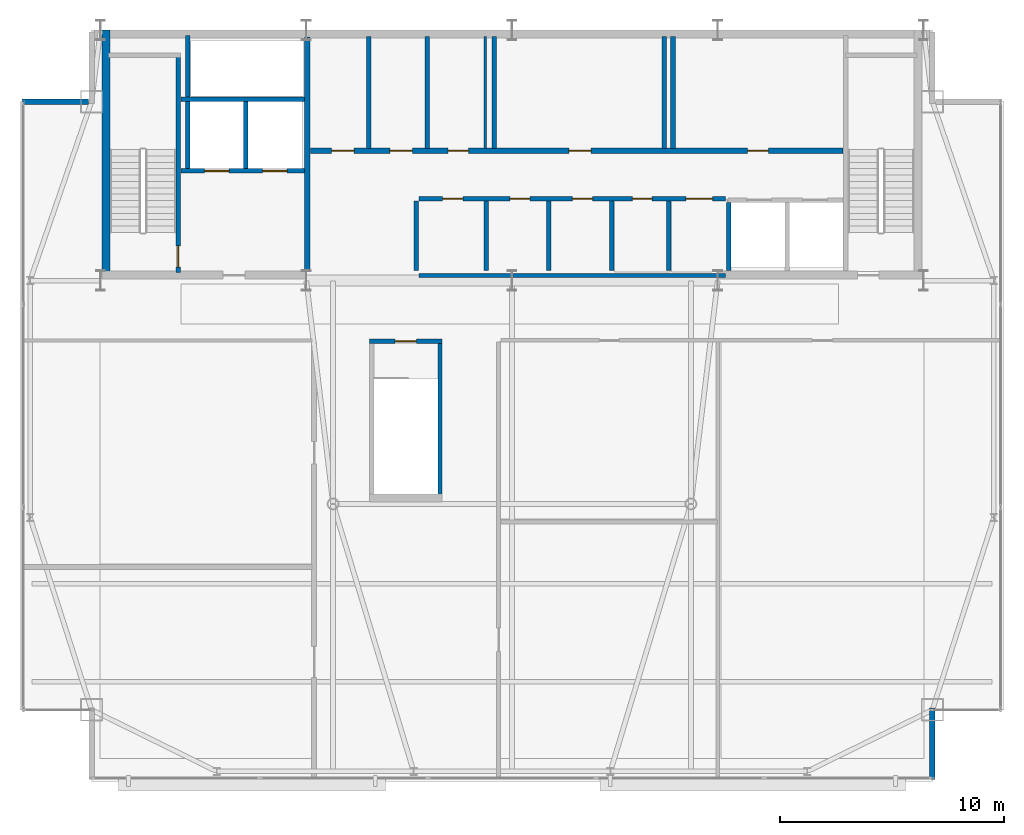
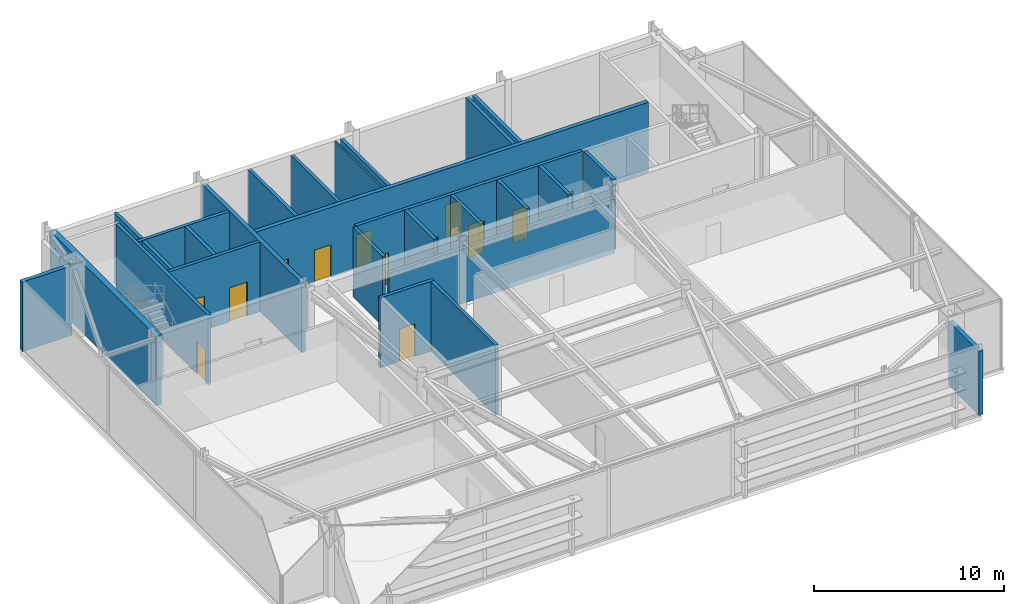
# One storey, part 18 of 20: 26 walls, 14 doors, 14 openings.
"""IFC4 building model written with IfcOpenShell, lengths in metres."""

from ifc_helpers import new_model, si_unit, direction, frame, frame_2d, origin, place, context, subcontext, project, spatial, rectangle, extrude, source, transform, mapped, material, layer, layer_set, type_object, type_shapes, element, fill, save


model = new_model("IFC4")

# Units and contexts
model_context = context("Model", 3, precision=1e-05, world=origin(), true_north=direction((0.0, 1.0)))
body_context = subcontext(model_context, "Body", "Model", "MODEL_VIEW")
ifc_project = project(units=[si_unit("LENGTHUNIT", "METRE"), si_unit("AREAUNIT", "SQUARE_METRE"), si_unit("VOLUMEUNIT", "CUBIC_METRE"), si_unit("PLANEANGLEUNIT", "RADIAN"), si_unit("MASSUNIT", "GRAM", prefix="KILO")], contexts=[model_context])

# Site, building, storey
site_placement = place(None, origin())
site = spatial("IfcSite", under=ifc_project, at=site_placement, CompositionType="ELEMENT")
building_placement = place(site_placement, origin())
building = spatial("IfcBuilding", under=site, at=building_placement, Name="Varnel Quay Broadcast Tower", CompositionType="ELEMENT")
storey_placement = place(building_placement, frame((0.0, 0.0, 309.800048828125)))
storey = spatial("IfcBuildingStorey", under=building, at=storey_placement, Name="L77", CompositionType="ELEMENT", Elevation=309.800048828125)

# Wall, opening, door
ifc_material_1 = material(Name="Concrete CSA A23.3 C50/60", Category="concrete")
ifc_layer_1 = layer(ifc_material_1, 0.199951171875, Name="Concrete CSA A23.3 C50/60")
ifc_layer_set_1 = layer_set([ifc_layer_1], Name="Concrete CSA A23.3 C50/60")
wall_type_1 = type_object("IfcWallType", Name="Wall_CoreShaftShear200", PredefinedType="SHEAR", material=ifc_layer_set_1)
wall_1_placement = place(storey_placement, frame((19.080078125, 35.949951171875, 0.0), z_axis=(0.0, 0.0, 1.0), x_axis=(0.0, 1.0, 0.0)))
wall_1 = element("IfcWall", 1, at=wall_1_placement, inside=storey, type_object=wall_type_1, Name="L77 Stair 1 East Structural Wall", PredefinedType="SHEAR", context=body_context, shape_type="SweptSolid", body=[
    extrude(rectangle(XDim=9.650146484375, YDim=0.199951171875, at=frame_2d((4.8251953125, 0.0))), origin(), (0.0, 0.0, 1.0), 4.47998046875),
])
opening_1_placement = place(wall_1_placement, frame((0.25, 0.0, 0.0)))
opening_1 = element("IfcOpeningElement", 2, at=opening_1_placement, cuts=wall_1, Name="Opening D-L77-S1", PredefinedType="OPENING", context=body_context, shape_type="SweptSolid", body=[
    extrude(rectangle(XDim=0.949951171875, YDim=2.10009765625, at=frame_2d((0.47509765625, 1.050048828125))), frame((0.0, 0.10986328125, 0.0), z_axis=(0.0, -1.0, 0.0), x_axis=(1.0, 0.0, 0.0)), (0.0, 0.0, 1.0), 0.219970703125),
])
ifc_material_2 = material(Name="Insulated Fire-Rated Hollow Steel Door", Category="steel")
door_type_1 = type_object("IfcDoorType", Name="Door_FireStair950", OperationType="NOTDEFINED", PredefinedType="DOOR", material=ifc_material_2)
shared_shape_1 = source(origin(), body_context, "Body", "SweptSolid", [
    extrude(rectangle(XDim=0.949951171875, YDim=2.10009765625, at=frame_2d((0.47509765625, 1.050048828125))), frame((0.0, 0.02490234375, 0.0), z_axis=(0.0, -1.0, 0.0), x_axis=(1.0, 0.0, 0.0)), (0.0, 0.0, 1.0), 0.050048828125),
])
type_shapes(door_type_1, [shared_shape_1])
door_1_placement = place(opening_1_placement, origin())
door_1 = element("IfcDoor", 3, at=door_1_placement, inside=storey, type_object=door_type_1, Name="L77 Stair 1 Fire Door", OperationType="SINGLE_SWING_RIGHT", OverallHeight=2.10009765625, OverallWidth=0.949951171875, PredefinedType="DOOR", context=body_context, shape_type="MappedRepresentation", body=[
    mapped(shared_shape_1, transform((0.0, 0.0, 0.0), x_axis=(1.0, 0.0, 0.0), y_axis=(0.0, 1.0, 0.0), z_axis=(0.0, 0.0, 1.0), scale=1.0)),
])
fill(opening_1, door_1)

# Wall, openings, doors
wall_2_placement = place(storey_placement, frame((19.199951171875, 40.5, 0.0), z_axis=(0.0, 0.0, 1.0), x_axis=(1.0, 0.0, 0.0)))
wall_2 = element("IfcWall", 4, at=wall_2_placement, inside=storey, type_object=wall_type_1, Name="L77 Firefighter Lift Shaft Front Wall", PredefinedType="SHEAR", context=body_context, shape_type="SweptSolid", body=[
    extrude(rectangle(XDim=5.52001953125, YDim=0.199951171875, at=frame_2d((2.760009765625, 0.0))), origin(), (0.0, 0.0, 1.0), 4.47998046875),
])
opening_2_placement = place(wall_2_placement, frame((1.050048828125, 0.0, 0.0)))
opening_2 = element("IfcOpeningElement", 5, at=opening_2_placement, cuts=wall_2, Name="Opening LD-L77-FE1", PredefinedType="OPENING", context=body_context, shape_type="SweptSolid", body=[
    extrude(rectangle(XDim=1.10009765625, YDim=2.179931640625, at=frame_2d((0.550048828125, 1.08984375))), frame((0.0, 0.10986328125, 0.0), z_axis=(0.0, -1.0, 0.0), x_axis=(1.0, 0.0, 0.0)), (0.0, 0.0, 1.0), 0.219970703125),
])
opening_3_placement = place(wall_2_placement, frame((3.64990234375, 0.0, 0.0)))
opening_3 = element("IfcOpeningElement", 6, at=opening_3_placement, cuts=wall_2, Name="Opening LD-L77-FE2", PredefinedType="OPENING", context=body_context, shape_type="SweptSolid", body=[
    extrude(rectangle(XDim=1.10009765625, YDim=2.179931640625, at=frame_2d((0.550048828125, 1.08984375))), frame((0.0, 0.10986328125, 0.0), z_axis=(0.0, -1.0, 0.0), x_axis=(1.0, 0.0, 0.0)), (0.0, 0.0, 1.0), 0.219970703125),
])
ifc_material_3 = material(Name="Brushed Bronze-Stainless Lift Car & Sliding Doors", Category="steel")
door_type_2 = type_object("IfcDoorType", Name="Door_LiftLanding1100", OperationType="SLIDING_TO_LEFT", PredefinedType="DOOR", material=ifc_material_3)
shared_shape_2 = source(origin(), body_context, "Body", "SweptSolid", [
    extrude(rectangle(XDim=1.10009765625, YDim=2.179931640625, at=frame_2d((0.550048828125, 1.08984375))), frame((0.0, 0.02490234375, 0.0), z_axis=(0.0, -1.0, 0.0), x_axis=(1.0, 0.0, 0.0)), (0.0, 0.0, 1.0), 0.050048828125),
])
type_shapes(door_type_2, [shared_shape_2])
door_2_placement = place(opening_2_placement, frame((1.10009765625, 0.0, 0.0), z_axis=(0.0, 0.0, 1.0), x_axis=(-1.0, 0.0, 0.0)))
door_2 = element("IfcDoor", 7, at=door_2_placement, inside=storey, type_object=door_type_2, Name="L77 Firefighter Lift FE-01 Landing Door", OperationType="SLIDING_TO_LEFT", OverallHeight=2.179931640625, OverallWidth=1.10009765625, PredefinedType="DOOR", context=body_context, shape_type="MappedRepresentation", body=[
    mapped(shared_shape_2, transform((0.0, 0.0, 0.0), x_axis=(1.0, 0.0, 0.0), y_axis=(0.0, 1.0, 0.0), z_axis=(0.0, 0.0, 1.0), scale=1.0)),
])
fill(opening_2, door_2)
door_3_placement = place(opening_3_placement, frame((1.10009765625, 0.0, 0.0), z_axis=(0.0, 0.0, 1.0), x_axis=(-1.0, 0.0, 0.0)))
door_3 = element("IfcDoor", 8, at=door_3_placement, inside=storey, type_object=door_type_2, Name="L77 Firefighter Lift FE-02 Landing Door", OperationType="SLIDING_TO_RIGHT", OverallHeight=2.179931640625, OverallWidth=1.10009765625, PredefinedType="DOOR", context=body_context, shape_type="MappedRepresentation", body=[
    mapped(shared_shape_2, transform((0.0, 0.0, 0.0), x_axis=(1.0, 0.0, 0.0), y_axis=(0.0, 1.0, 0.0), z_axis=(0.0, 0.0, 1.0), scale=1.0)),
])
fill(opening_3, door_3)

# Walls
wall_3_placement = place(storey_placement, frame((19.199951171875, 43.699951171875, 0.0), z_axis=(0.0, 0.0, 1.0), x_axis=(1.0, 0.0, 0.0)))
element("IfcWall", 9, at=wall_3_placement, inside=storey, type_object=wall_type_1, Name="L77 Firefighter Lift Shaft Rear Wall", PredefinedType="SHEAR", context=body_context, shape_type="SweptSolid", body=[
    extrude(rectangle(XDim=5.52001953125, YDim=0.199951171875, at=frame_2d((2.760009765625, 0.0))), origin(), (0.0, 0.0, 1.0), 4.47998046875),
])
wall_4_placement = place(storey_placement, frame((22.10009765625, 40.60009765625, 0.0), z_axis=(0.0, 0.0, 1.0), x_axis=(0.0, 1.0, 0.0)))
element("IfcWall", 10, at=wall_4_placement, inside=storey, type_object=wall_type_1, Name="L77 Firefighter Lift Shaft Divider", PredefinedType="SHEAR", context=body_context, shape_type="SweptSolid", body=[
    extrude(rectangle(XDim=3.0, YDim=0.199951171875, at=frame_2d((1.5, 0.0))), origin(), (0.0, 0.0, 1.0), 4.47998046875),
])
wall_5_placement = place(storey_placement, frame((19.5, 40.60009765625, 0.0), z_axis=(0.0, 0.0, 1.0), x_axis=(0.0, 1.0, 0.0)))
element("IfcWall", 11, at=wall_5_placement, inside=storey, type_object=wall_type_1, Name="L77 Firefighter Lift Shaft West Wall", PredefinedType="SHEAR", context=body_context, shape_type="SweptSolid", body=[
    extrude(rectangle(XDim=5.949951171875, YDim=0.199951171875, at=frame_2d((2.97509765625, 0.0))), origin(), (0.0, 0.0, 1.0), 4.47998046875),
])
wall_6_placement = place(storey_placement, frame((43.699951171875, 36.050048828125, 0.0), z_axis=(0.0, 0.0, 1.0), x_axis=(0.0, 1.0, 0.0)))
element("IfcWall", 12, at=wall_6_placement, inside=storey, type_object=wall_type_1, Name="L77 Express Lift Shaft West Wall", PredefinedType="SHEAR", context=body_context, shape_type="SweptSolid", body=[
    extrude(rectangle(XDim=3.050048828125, YDim=0.199951171875, at=frame_2d((1.52490234375, 0.0))), origin(), (0.0, 0.0, 1.0), 4.47998046875),
])
wall_7_placement = place(storey_placement, frame((30.780029296875, 26.0, 0.0), z_axis=(0.0, 0.0, 1.0), x_axis=(0.0, 1.0, 0.0)))
element("IfcWall", 13, at=wall_7_placement, inside=storey, type_object=wall_type_1, Name="L77 Observation Stair 4 E Structural Wall", PredefinedType="SHEAR", context=body_context, shape_type="SweptSolid", body=[
    extrude(rectangle(XDim=6.800048828125, YDim=0.199951171875, at=frame_2d((3.39990234375, 0.0))), origin(), (0.0, 0.0, 1.0), 4.47998046875),
])

# Wall, opening, door
wall_8_placement = place(storey_placement, frame((27.6201171875, 32.8798828125, 0.0), z_axis=(0.0, 0.0, 1.0), x_axis=(1.0, 0.0, 0.0)))
wall_8 = element("IfcWall", 14, at=wall_8_placement, inside=storey, type_object=wall_type_1, Name="L77 Observation Stair 4 North Structural Wall", PredefinedType="SHEAR", context=body_context, shape_type="SweptSolid", body=[
    extrude(rectangle(XDim=3.259765625, YDim=0.199951171875, at=frame_2d((1.6298828125, 0.0))), origin(), (0.0, 0.0, 1.0), 4.47998046875),
])
opening_4_placement = place(wall_8_placement, frame((1.14990234375, 0.0, 0.0)))
opening_4 = element("IfcOpeningElement", 15, at=opening_4_placement, cuts=wall_8, Name="Opening D-L77-S4", PredefinedType="OPENING", context=body_context, shape_type="SweptSolid", body=[
    extrude(rectangle(XDim=0.949951171875, YDim=2.10009765625, at=frame_2d((0.47509765625, 1.050048828125))), frame((0.0, 0.10986328125, 0.0), z_axis=(0.0, -1.0, 0.0), x_axis=(1.0, 0.0, 0.0)), (0.0, 0.0, 1.0), 0.219970703125),
])
door_4_placement = place(opening_4_placement, frame((0.949951171875, 0.0, 0.0), z_axis=(0.0, 0.0, 1.0), x_axis=(-1.0, 0.0, 0.0)))
door_4 = element("IfcDoor", 16, at=door_4_placement, inside=storey, type_object=door_type_1, Name="L77 Observation Stair 4 Door", OperationType="SINGLE_SWING_RIGHT", OverallHeight=2.10009765625, OverallWidth=0.949951171875, PredefinedType="DOOR", context=body_context, shape_type="MappedRepresentation", body=[
    mapped(shared_shape_1, transform((0.0, 0.0, 0.0), x_axis=(1.0, 0.0, 0.0), y_axis=(0.0, 1.0, 0.0), z_axis=(0.0, 0.0, 1.0), scale=1.0)),
])
fill(opening_4, door_4)

# Wall
ifc_layer_2 = layer(ifc_material_1, 0.25, Name="Concrete CSA A23.3 C50/60")
ifc_layer_set_2 = layer_set([ifc_layer_2], Name="Concrete CSA A23.3 C50/60")
wall_type_2 = type_object("IfcWallType", Name="Wall_CoreShaftShear250", PredefinedType="SHEAR", material=ifc_layer_set_2)
wall_9_placement = place(storey_placement, frame((24.85009765625, 36.050048828125, 0.0), z_axis=(0.0, 0.0, 1.0), x_axis=(0.0, 1.0, 0.0)))
element("IfcWall", 17, at=wall_9_placement, inside=storey, type_object=wall_type_2, Name="L77 Firefighting Lobby East Structural Wall", PredefinedType="SHEAR", context=body_context, shape_type="SweptSolid", body=[
    extrude(rectangle(XDim=10.449951171875, YDim=0.25, at=frame_2d((5.22509765625, 0.0))), origin(), (0.0, 0.0, 1.0), 4.47998046875),
])

# Wall, openings, doors
wall_10_placement = place(storey_placement, frame((24.97998046875, 41.39990234375, 0.0), z_axis=(0.0, 0.0, 1.0), x_axis=(1.0, 0.0, 0.0)))
wall_10 = element("IfcWall", 18, at=wall_10_placement, inside=storey, type_object=wall_type_2, Name="L77 North Lift Bank & Reclaimed Suite Wall", PredefinedType="SHEAR", context=body_context, shape_type="SweptSolid", body=[
    extrude(rectangle(XDim=23.820068359375, YDim=0.25, at=frame_2d((11.91015625, 0.0))), origin(), (0.0, 0.0, 1.0), 4.47998046875),
])
opening_5_placement = place(wall_10_placement, frame((0.9599609375, 0.0, 0.0)))
opening_5 = element("IfcOpeningElement", 19, at=opening_5_placement, cuts=wall_10, Name="Opening D-L77-RECA1", PredefinedType="OPENING", context=body_context, shape_type="SweptSolid", body=[
    extrude(rectangle(XDim=1.0, YDim=2.080078125, at=frame_2d((0.5, 1.0400390625))), frame((0.0, 0.135009765625, 0.0), z_axis=(0.0, -1.0, 0.0), x_axis=(1.0, 0.0, 0.0)), (0.0, 0.0, 1.0), 0.27001953125),
])
opening_6_placement = place(wall_10_placement, frame((3.56005859375, 0.0, 0.0)))
opening_6 = element("IfcOpeningElement", 20, at=opening_6_placement, cuts=wall_10, Name="Opening D-L77-RECA2", PredefinedType="OPENING", context=body_context, shape_type="SweptSolid", body=[
    extrude(rectangle(XDim=1.0, YDim=2.080078125, at=frame_2d((0.5, 1.0400390625))), frame((0.0, 0.135009765625, 0.0), z_axis=(0.0, -1.0, 0.0), x_axis=(1.0, 0.0, 0.0)), (0.0, 0.0, 1.0), 0.27001953125),
])
opening_7_placement = place(wall_10_placement, frame((6.159912109375, 0.0, 0.0)))
opening_7 = element("IfcOpeningElement", 21, at=opening_7_placement, cuts=wall_10, Name="Opening D-L77-RECA3", PredefinedType="OPENING", context=body_context, shape_type="SweptSolid", body=[
    extrude(rectangle(XDim=0.919921875, YDim=2.080078125, at=frame_2d((0.4599609375, 1.0400390625))), frame((0.0, 0.135009765625, 0.0), z_axis=(0.0, -1.0, 0.0), x_axis=(1.0, 0.0, 0.0)), (0.0, 0.0, 1.0), 0.27001953125),
])
opening_8_placement = place(wall_10_placement, frame((11.56005859375, 0.0, 0.0)))
opening_8 = element("IfcOpeningElement", 22, at=opening_8_placement, cuts=wall_10, Name="Opening D-L77-RECB1", PredefinedType="OPENING", context=body_context, shape_type="SweptSolid", body=[
    extrude(rectangle(XDim=1.0, YDim=2.080078125, at=frame_2d((0.5, 1.0400390625))), frame((0.0, 0.135009765625, 0.0), z_axis=(0.0, -1.0, 0.0), x_axis=(1.0, 0.0, 0.0)), (0.0, 0.0, 1.0), 0.27001953125),
])
opening_9_placement = place(wall_10_placement, frame((19.56005859375, 0.0, 0.0)))
opening_9 = element("IfcOpeningElement", 23, at=opening_9_placement, cuts=wall_10, Name="Opening D-L77-RECC1", PredefinedType="OPENING", context=body_context, shape_type="SweptSolid", body=[
    extrude(rectangle(XDim=0.919921875, YDim=2.080078125, at=frame_2d((0.4599609375, 1.0400390625))), frame((0.0, 0.135009765625, 0.0), z_axis=(0.0, -1.0, 0.0), x_axis=(1.0, 0.0, 0.0)), (0.0, 0.0, 1.0), 0.27001953125),
])
door_type_3 = type_object("IfcDoorType", Name="Door_FireLobby1000", OperationType="NOTDEFINED", PredefinedType="DOOR", material=ifc_material_2)
shared_shape_3 = source(origin(), body_context, "Body", "SweptSolid", [
    extrude(rectangle(XDim=1.0, YDim=2.080078125, at=frame_2d((0.5, 1.0400390625))), frame((0.0, 0.02490234375, 0.0), z_axis=(0.0, -1.0, 0.0), x_axis=(1.0, 0.0, 0.0)), (0.0, 0.0, 1.0), 0.050048828125),
])
type_shapes(door_type_3, [shared_shape_3])
door_5_placement = place(opening_5_placement, origin())
door_5 = element("IfcDoor", 24, at=door_5_placement, inside=storey, type_object=door_type_3, Name="L77 Ingest Rack Bay A Door", OperationType="SINGLE_SWING_LEFT", OverallHeight=2.080078125, OverallWidth=1.0, PredefinedType="DOOR", context=body_context, shape_type="MappedRepresentation", body=[
    mapped(shared_shape_3, transform((0.0, 0.0, 0.0), x_axis=(1.0, 0.0, 0.0), y_axis=(0.0, 1.0, 0.0), z_axis=(0.0, 0.0, 1.0), scale=1.0)),
])
fill(opening_5, door_5)
door_6_placement = place(opening_6_placement, origin())
door_6 = element("IfcDoor", 25, at=door_6_placement, inside=storey, type_object=door_type_3, Name="L77 Fiber Patch Bay Door", OperationType="SINGLE_SWING_RIGHT", OverallHeight=2.080078125, OverallWidth=1.0, PredefinedType="DOOR", context=body_context, shape_type="MappedRepresentation", body=[
    mapped(shared_shape_3, transform((0.0, 0.0, 0.0), x_axis=(1.0, 0.0, 0.0), y_axis=(0.0, 1.0, 0.0), z_axis=(0.0, 0.0, 1.0), scale=1.0)),
])
fill(opening_6, door_6)
door_7_placement = place(opening_8_placement, origin())
door_7 = element("IfcDoor", 26, at=door_7_placement, inside=storey, type_object=door_type_3, Name="L77 High-Zone Broadcast Rack Hall Door", OperationType="SINGLE_SWING_RIGHT", OverallHeight=2.080078125, OverallWidth=1.0, PredefinedType="DOOR", context=body_context, shape_type="MappedRepresentation", body=[
    mapped(shared_shape_3, transform((0.0, 0.0, 0.0), x_axis=(1.0, 0.0, 0.0), y_axis=(0.0, 1.0, 0.0), z_axis=(0.0, 0.0, 1.0), scale=1.0)),
])
fill(opening_8, door_7)
ifc_material_4 = material(Name="Solid-Core Fire-Rated Acoustic Oak Veneer Door", Category="wood")
door_type_4 = type_object("IfcDoorType", Name="Door_Office920", OperationType="NOTDEFINED", PredefinedType="DOOR", material=ifc_material_4)
shared_shape_4 = source(origin(), body_context, "Body", "SweptSolid", [
    extrude(rectangle(XDim=0.919921875, YDim=2.080078125, at=frame_2d((0.4599609375, 1.0400390625))), frame((0.0, 0.02490234375, 0.0), z_axis=(0.0, -1.0, 0.0), x_axis=(1.0, 0.0, 0.0)), (0.0, 0.0, 1.0), 0.050048828125),
])
type_shapes(door_type_4, [shared_shape_4])
door_8_placement = place(opening_7_placement, origin())
door_8 = element("IfcDoor", 27, at=door_8_placement, inside=storey, type_object=door_type_4, Name="L77 Telemetry Store Door", OperationType="SINGLE_SWING_LEFT", OverallHeight=2.080078125, OverallWidth=0.919921875, PredefinedType="DOOR", context=body_context, shape_type="MappedRepresentation", body=[
    mapped(shared_shape_4, transform((0.0, 0.0, 0.0), x_axis=(1.0, 0.0, 0.0), y_axis=(0.0, 1.0, 0.0), z_axis=(0.0, 0.0, 1.0), scale=1.0)),
])
fill(opening_7, door_8)
door_9_placement = place(opening_9_placement, origin())
door_9 = element("IfcDoor", 28, at=door_9_placement, inside=storey, type_object=door_type_4, Name="L77 Observatory AV Control Suite Door", OperationType="SINGLE_SWING_LEFT", OverallHeight=2.080078125, OverallWidth=0.919921875, PredefinedType="DOOR", context=body_context, shape_type="MappedRepresentation", body=[
    mapped(shared_shape_4, transform((0.0, 0.0, 0.0), x_axis=(1.0, 0.0, 0.0), y_axis=(0.0, 1.0, 0.0), z_axis=(0.0, 0.0, 1.0), scale=1.0)),
])
fill(opening_9, door_9)

# Walls
ifc_layer_3 = layer(ifc_material_1, 0.35009765625, Name="Concrete CSA A23.3 C50/60")
ifc_layer_set_3 = layer_set([ifc_layer_3], Name="Concrete CSA A23.3 C50/60")
wall_type_3 = type_object("IfcWallType", Name="Wall_CoreShearInt350", PredefinedType="SHEAR", material=ifc_layer_set_3)
wall_11_placement = place(storey_placement, frame((15.844970703125, 35.669921875, 0.0), z_axis=(0.0, 0.0, 1.0), x_axis=(0.0, 1.0, 0.0)))
element("IfcWall", 29, at=wall_11_placement, inside=storey, type_object=wall_type_3, Name="L77 West Core Shear Wall", PredefinedType="SHEAR", context=body_context, shape_type="SweptSolid", body=[
    extrude(rectangle(XDim=11.130126953125, YDim=0.35009765625, at=frame_2d((5.56494140625, 0.0))), origin(), (0.0, 0.0, 1.0), 4.47998046875),
])
ifc_material_5 = material(Name="Precast Architectural Concrete C40/50", Category="concrete")
ifc_layer_4 = layer(ifc_material_5, 0.25, Name="Precast Architectural Concrete C40/50")
ifc_layer_set_4 = layer_set([ifc_layer_4], Name="Precast Architectural Concrete C40/50")
wall_type_4 = type_object("IfcWallType", Name="Wall_ExtTerrace250", PredefinedType="SOLIDWALL", material=ifc_layer_set_4)
wall_12_placement = place(storey_placement, frame((52.800048828125, 13.280029296875, 0.0), z_axis=(0.0, 0.0, 1.0), x_axis=(0.0, 1.0, 0.0)))
element("IfcWall", 30, at=wall_12_placement, inside=storey, type_object=wall_type_4, Name="L77 Mega-Column Notch Cladding Wall NSE2", PredefinedType="SOLIDWALL", context=body_context, shape_type="SweptSolid", body=[
    extrude(rectangle(XDim=3.199951171875, YDim=0.25, at=frame_2d((1.60009765625, 0.0))), origin(), (0.0, 0.0, 1.0), 4.100830078125),
])
wall_13_placement = place(storey_placement, frame((12.080078125, 43.60009765625, 0.0), z_axis=(0.0, 0.0, 1.0), x_axis=(1.0, 0.0, 0.0)))
element("IfcWall", 31, at=wall_13_placement, inside=storey, type_object=wall_type_4, Name="L77 Mega-Column Notch Cladding Wall NNW1", PredefinedType="SOLIDWALL", context=body_context, shape_type="SweptSolid", body=[
    extrude(rectangle(XDim=2.989990234375, YDim=0.25, at=frame_2d((1.4951171875, 0.0))), origin(), (0.0, 0.0, 1.0), 4.4599609375),
])
ifc_material_6 = material(Name="Concrete Blockwork Fire Enclosure C40/50", Category="masonry")
ifc_layer_5 = layer(ifc_material_6, 0.199951171875, Name="Concrete Blockwork Fire Enclosure C40/50")
ifc_layer_set_5 = layer_set([ifc_layer_5], Name="Concrete Blockwork Fire Enclosure C40/50")
wall_type_5 = type_object("IfcWallType", Name="Wall_FireShaft200", PredefinedType="SOLIDWALL", material=ifc_layer_set_5)
wall_14_placement = place(storey_placement, frame((29.85009765625, 35.824951171875, 0.0), z_axis=(0.0, 0.0, 1.0), x_axis=(1.0, 0.0, 0.0)))
element("IfcWall", 32, at=wall_14_placement, inside=storey, type_object=wall_type_5, Name="L77 Accessible Washroom Partition 1", PredefinedType="SOLIDWALL", context=body_context, shape_type="SweptSolid", body=[
    extrude(rectangle(XDim=13.699951171875, YDim=0.199951171875, at=frame_2d((6.85009765625, 0.0))), origin(), (0.0, 0.0, 1.0), 3.5048828125),
])

# Wall, openings, doors
wall_15_placement = place(storey_placement, frame((29.85009765625, 39.25, 0.0), z_axis=(0.0, 0.0, 1.0), x_axis=(1.0, 0.0, 0.0)))
wall_15 = element("IfcWall", 33, at=wall_15_placement, inside=storey, type_object=wall_type_5, Name="L77 Accessible Washroom Partition 3", PredefinedType="SOLIDWALL", context=body_context, shape_type="SweptSolid", body=[
    extrude(rectangle(XDim=13.699951171875, YDim=0.199951171875, at=frame_2d((6.85009765625, 0.0))), origin(), (0.0, 0.0, 1.0), 4.4599609375),
])
opening_10_placement = place(wall_15_placement, frame((1.050048828125, 0.0, 0.0)))
opening_10 = element("IfcOpeningElement", 34, at=opening_10_placement, cuts=wall_15, Name="Opening D-L77-01", PredefinedType="OPENING", context=body_context, shape_type="SweptSolid", body=[
    extrude(rectangle(XDim=0.89990234375, YDim=2.06005859375, at=frame_2d((0.449951171875, 1.030029296875))), frame((0.0, 0.10986328125, 0.0), z_axis=(0.0, -1.0, 0.0), x_axis=(1.0, 0.0, 0.0)), (0.0, 0.0, 1.0), 0.219970703125),
])
opening_11_placement = place(wall_15_placement, frame((4.050048828125, 0.0, 0.0)))
opening_11 = element("IfcOpeningElement", 35, at=opening_11_placement, cuts=wall_15, Name="Opening D-L77-02", PredefinedType="OPENING", context=body_context, shape_type="SweptSolid", body=[
    extrude(rectangle(XDim=0.89990234375, YDim=2.06005859375, at=frame_2d((0.449951171875, 1.030029296875))), frame((0.0, 0.10986328125, 0.0), z_axis=(0.0, -1.0, 0.0), x_axis=(1.0, 0.0, 0.0)), (0.0, 0.0, 1.0), 0.219970703125),
])
opening_12_placement = place(wall_15_placement, frame((6.85009765625, 0.0, 0.0)))
opening_12 = element("IfcOpeningElement", 36, at=opening_12_placement, cuts=wall_15, Name="Opening D-L77-03", PredefinedType="OPENING", context=body_context, shape_type="SweptSolid", body=[
    extrude(rectangle(XDim=0.89990234375, YDim=2.06005859375, at=frame_2d((0.449951171875, 1.030029296875))), frame((0.0, 0.10986328125, 0.0), z_axis=(0.0, -1.0, 0.0), x_axis=(1.0, 0.0, 0.0)), (0.0, 0.0, 1.0), 0.219970703125),
])
opening_13_placement = place(wall_15_placement, frame((9.534912109375, 0.0, 0.0)))
opening_13 = element("IfcOpeningElement", 37, at=opening_13_placement, cuts=wall_15, Name="Opening D-L77-04", PredefinedType="OPENING", context=body_context, shape_type="SweptSolid", body=[
    extrude(rectangle(XDim=0.8798828125, YDim=2.06005859375, at=frame_2d((0.43994140625, 1.030029296875))), frame((0.0, 0.10986328125, 0.0), z_axis=(0.0, -1.0, 0.0), x_axis=(1.0, 0.0, 0.0)), (0.0, 0.0, 1.0), 0.219970703125),
])
opening_14_placement = place(wall_15_placement, frame((11.925048828125, 0.0, 0.0)))
opening_14 = element("IfcOpeningElement", 38, at=opening_14_placement, cuts=wall_15, Name="Opening D-L77-05", PredefinedType="OPENING", context=body_context, shape_type="SweptSolid", body=[
    extrude(rectangle(XDim=1.199951171875, YDim=2.10009765625, at=frame_2d((0.60009765625, 1.050048828125))), frame((0.0, 0.10986328125, 0.0), z_axis=(0.0, -1.0, 0.0), x_axis=(1.0, 0.0, 0.0)), (0.0, 0.0, 1.0), 0.219970703125),
])
door_type_5 = type_object("IfcDoorType", Name="Door_Washroom900", OperationType="NOTDEFINED", PredefinedType="DOOR", material=ifc_material_4)
shared_shape_5 = source(origin(), body_context, "Body", "SweptSolid", [
    extrude(rectangle(XDim=0.89990234375, YDim=2.06005859375, at=frame_2d((0.449951171875, 1.030029296875))), frame((0.0, 0.02490234375, 0.0), z_axis=(0.0, -1.0, 0.0), x_axis=(1.0, 0.0, 0.0)), (0.0, 0.0, 1.0), 0.050048828125),
])
type_shapes(door_type_5, [shared_shape_5])
door_10_placement = place(opening_10_placement, frame((0.89990234375, 0.0, 0.0), z_axis=(0.0, 0.0, 1.0), x_axis=(-1.0, 0.0, 0.0)))
door_10 = element("IfcDoor", 39, at=door_10_placement, inside=storey, type_object=door_type_5, Name="L77 Accessible Washroom Door D-L77-01", OperationType="SINGLE_SWING_LEFT", OverallHeight=2.06005859375, OverallWidth=0.89990234375, PredefinedType="DOOR", context=body_context, shape_type="MappedRepresentation", body=[
    mapped(shared_shape_5, transform((0.0, 0.0, 0.0), x_axis=(1.0, 0.0, 0.0), y_axis=(0.0, 1.0, 0.0), z_axis=(0.0, 0.0, 1.0), scale=1.0)),
])
fill(opening_10, door_10)
door_11_placement = place(opening_11_placement, frame((0.89990234375, 0.0, 0.0), z_axis=(0.0, 0.0, 1.0), x_axis=(-1.0, 0.0, 0.0)))
door_11 = element("IfcDoor", 40, at=door_11_placement, inside=storey, type_object=door_type_5, Name="L77 West Gender-Neutral Washroom Door D-L77-02", OperationType="SINGLE_SWING_RIGHT", OverallHeight=2.06005859375, OverallWidth=0.89990234375, PredefinedType="DOOR", context=body_context, shape_type="MappedRepresentation", body=[
    mapped(shared_shape_5, transform((0.0, 0.0, 0.0), x_axis=(1.0, 0.0, 0.0), y_axis=(0.0, 1.0, 0.0), z_axis=(0.0, 0.0, 1.0), scale=1.0)),
])
fill(opening_11, door_11)
door_12_placement = place(opening_12_placement, frame((0.89990234375, 0.0, 0.0), z_axis=(0.0, 0.0, 1.0), x_axis=(-1.0, 0.0, 0.0)))
door_12 = element("IfcDoor", 41, at=door_12_placement, inside=storey, type_object=door_type_5, Name="L77 East Staff Washroom Door D-L77-03", OperationType="SINGLE_SWING_LEFT", OverallHeight=2.06005859375, OverallWidth=0.89990234375, PredefinedType="DOOR", context=body_context, shape_type="MappedRepresentation", body=[
    mapped(shared_shape_5, transform((0.0, 0.0, 0.0), x_axis=(1.0, 0.0, 0.0), y_axis=(0.0, 1.0, 0.0), z_axis=(0.0, 0.0, 1.0), scale=1.0)),
])
fill(opening_12, door_12)
door_type_6 = type_object("IfcDoorType", Name="Door_Plant1200", OperationType="NOTDEFINED", PredefinedType="DOOR", material=ifc_material_2)
shared_shape_6 = source(origin(), body_context, "Body", "SweptSolid", [
    extrude(rectangle(XDim=1.199951171875, YDim=2.10009765625, at=frame_2d((0.60009765625, 1.050048828125))), frame((0.0, 0.02490234375, 0.0), z_axis=(0.0, -1.0, 0.0), x_axis=(1.0, 0.0, 0.0)), (0.0, 0.0, 1.0), 0.050048828125),
])
type_shapes(door_type_6, [shared_shape_6])
door_13_placement = place(opening_14_placement, origin())
door_13 = element("IfcDoor", 42, at=door_13_placement, inside=storey, type_object=door_type_6, Name="L77 Telecom IDF Closet Door D-L77-05", OperationType="SINGLE_SWING_LEFT", OverallHeight=2.10009765625, OverallWidth=1.199951171875, PredefinedType="DOOR", context=body_context, shape_type="MappedRepresentation", body=[
    mapped(shared_shape_6, transform((0.0, 0.0, 0.0), x_axis=(1.0, 0.0, 0.0), y_axis=(0.0, 1.0, 0.0), z_axis=(0.0, 0.0, 1.0), scale=1.0)),
])
fill(opening_14, door_13)
door_type_7 = type_object("IfcDoorType", Name="Door_Booth880", OperationType="NOTDEFINED", PredefinedType="DOOR", material=ifc_material_4)
shared_shape_7 = source(origin(), body_context, "Body", "SweptSolid", [
    extrude(rectangle(XDim=0.8798828125, YDim=2.06005859375, at=frame_2d((0.43994140625, 1.030029296875))), frame((0.0, 0.02490234375, 0.0), z_axis=(0.0, -1.0, 0.0), x_axis=(1.0, 0.0, 0.0)), (0.0, 0.0, 1.0), 0.050048828125),
])
type_shapes(door_type_7, [shared_shape_7])
door_14_placement = place(opening_13_placement, frame((0.8798828125, 0.0, 0.0), z_axis=(0.0, 0.0, 1.0), x_axis=(-1.0, 0.0, 0.0)))
door_14 = element("IfcDoor", 43, at=door_14_placement, inside=storey, type_object=door_type_7, Name="L77 Cleaners' & Linen Store Door D-L77-04", OperationType="SINGLE_SWING_RIGHT", OverallHeight=2.06005859375, OverallWidth=0.8798828125, PredefinedType="DOOR", context=body_context, shape_type="MappedRepresentation", body=[
    mapped(shared_shape_7, transform((0.0, 0.0, 0.0), x_axis=(1.0, 0.0, 0.0), y_axis=(0.0, 1.0, 0.0), z_axis=(0.0, 0.0, 1.0), scale=1.0)),
])
fill(opening_13, door_14)

# Walls
wall_16_placement = place(storey_placement, frame((41.0, 36.050048828125, 0.0), z_axis=(0.0, 0.0, 1.0), x_axis=(0.0, 1.0, 0.0)))
element("IfcWall", 44, at=wall_16_placement, inside=storey, type_object=wall_type_5, Name="L77 Cleaners' & Linen Store Partition 7", PredefinedType="SOLIDWALL", context=body_context, shape_type="SweptSolid", body=[
    extrude(rectangle(XDim=3.099853515625, YDim=0.199951171875, at=frame_2d((1.5498046875, 0.0))), origin(), (0.0, 0.0, 1.0), 4.4599609375),
])
for number, where, z_axis, x_axis, name in (
    (45, (27.60009765625, 41.5, 0.0), (0.0, 0.0, 1.0), (0.0, 1.0, 0.0), "L77 Ingest Rack Bay A Partition 15"),
    (46, (30.199951171875, 41.5, 0.0), (0.0, 0.0, 1.0), (0.0, 1.0, 0.0), "L77 Fiber Patch Bay Partition 16"),
    (47, (40.800048828125, 41.5, 0.0), (0.0, 0.0, 1.0), (0.0, 1.0, 0.0), "L77 High-Zone Broadcast Rack Hall Partition 18"),
    (48, (33.199951171875, 41.5, 0.0), (0.0, 0.0, 1.0), (0.0, 1.0, 0.0), "L77 High-Zone Broadcast Rack Hall Partition 19"),
):
    element("IfcWall", number, at=place(storey_placement, frame(where, z_axis=z_axis, x_axis=x_axis)), inside=storey, type_object=wall_type_5, Name=name, PredefinedType="SOLIDWALL", context=body_context, shape_type="SweptSolid", body=[
        extrude(rectangle(XDim=5.02001953125, YDim=0.199951171875, at=frame_2d((2.510009765625, 0.0))), origin(), (0.0, 0.0, 1.0), 4.4599609375),
    ])
ifc_material_7 = material(Name="Steel-Stud Fire-Rated Acoustic Gypsum Partition Assembly", Category="steel")
ifc_layer_6 = layer(ifc_material_7, 0.10498046875, Name="Steel-Stud Fire-Rated Acoustic Gypsum Partition Assembly")
ifc_layer_set_6 = layer_set([ifc_layer_6], Name="Steel-Stud Fire-Rated Acoustic Gypsum Partition Assembly")
wall_type_6 = type_object("IfcWallType", Name="Wall_Partition105", PredefinedType="PARTITIONING", material=ifc_layer_set_6)
wall_17_placement = place(storey_placement, frame((32.800048828125, 41.5, 0.0), z_axis=(0.0, 0.0, 1.0), x_axis=(0.0, 1.0, 0.0)))
element("IfcWall", 49, at=wall_17_placement, inside=storey, type_object=wall_type_6, Name="L77 Telemetry Store Partition 17", PredefinedType="PARTITIONING", context=body_context, shape_type="SweptSolid", body=[
    extrude(rectangle(XDim=5.02001953125, YDim=0.10498046875, at=frame_2d((2.510009765625, 0.0))), origin(), (0.0, 0.0, 1.0), 4.4599609375),
])
ifc_layer_7 = layer(ifc_material_7, 0.22509765625, Name="Steel-Stud Fire-Rated Acoustic Gypsum Partition Assembly")
ifc_layer_set_7 = layer_set([ifc_layer_7], Name="Steel-Stud Fire-Rated Acoustic Gypsum Partition Assembly")
wall_type_7 = type_object("IfcWallType", Name="Wall_Partition225", PredefinedType="PARTITIONING", material=ifc_layer_set_7)
wall_18_placement = place(storey_placement, frame((41.199951171875, 41.5, 0.0), z_axis=(0.0, 0.0, 1.0), x_axis=(0.0, 1.0, 0.0)))
element("IfcWall", 50, at=wall_18_placement, inside=storey, type_object=wall_type_7, Name="L77 Observatory AV Control Suite Partition 20", PredefinedType="PARTITIONING", context=body_context, shape_type="SweptSolid", body=[
    extrude(rectangle(XDim=5.02001953125, YDim=0.22509765625, at=frame_2d((2.510009765625, 0.0))), origin(), (0.0, 0.0, 1.0), 4.4599609375),
])
ifc_material_8 = material(Name="Fire-Rated Moisture-Resistant Plumbing Chase Partition")
ifc_layer_8 = layer(ifc_material_8, 0.199951171875, Name="Fire-Rated Moisture-Resistant Plumbing Chase Partition")
ifc_layer_set_8 = layer_set([ifc_layer_8], Name="Fire-Rated Moisture-Resistant Plumbing Chase Partition")
wall_type_8 = type_object("IfcWallType", Name="Wall_Plumbing200", PredefinedType="PLUMBINGWALL", material=ifc_layer_set_8)
for number, where, z_axis, x_axis, name in (
    (51, (32.85009765625, 36.050048828125, 0.0), (0.0, 0.0, 1.0), (0.0, 1.0, 0.0), "L77 Accessible Washroom Partition 2"),
    (52, (29.72509765625, 36.050048828125, 0.0), (0.0, 0.0, 1.0), (0.0, 1.0, 0.0), "L77 Accessible Washroom Partition 4"),
    (53, (35.64990234375, 36.050048828125, 0.0), (0.0, 0.0, 1.0), (0.0, 1.0, 0.0), "L77 West Gender-Neutral Washroom Partition 5"),
    (54, (38.449951171875, 36.050048828125, 0.0), (0.0, 0.0, 1.0), (0.0, 1.0, 0.0), "L77 East Staff Washroom Partition 6"),
):
    element("IfcWall", number, at=place(storey_placement, frame(where, z_axis=z_axis, x_axis=x_axis)), inside=storey, type_object=wall_type_8, Name=name, PredefinedType="PLUMBINGWALL", context=body_context, shape_type="SweptSolid", body=[
        extrude(rectangle(XDim=3.099853515625, YDim=0.199951171875, at=frame_2d((1.5498046875, 0.0))), origin(), (0.0, 0.0, 1.0), 4.4599609375),
    ])

save(model, "model.ifc")
